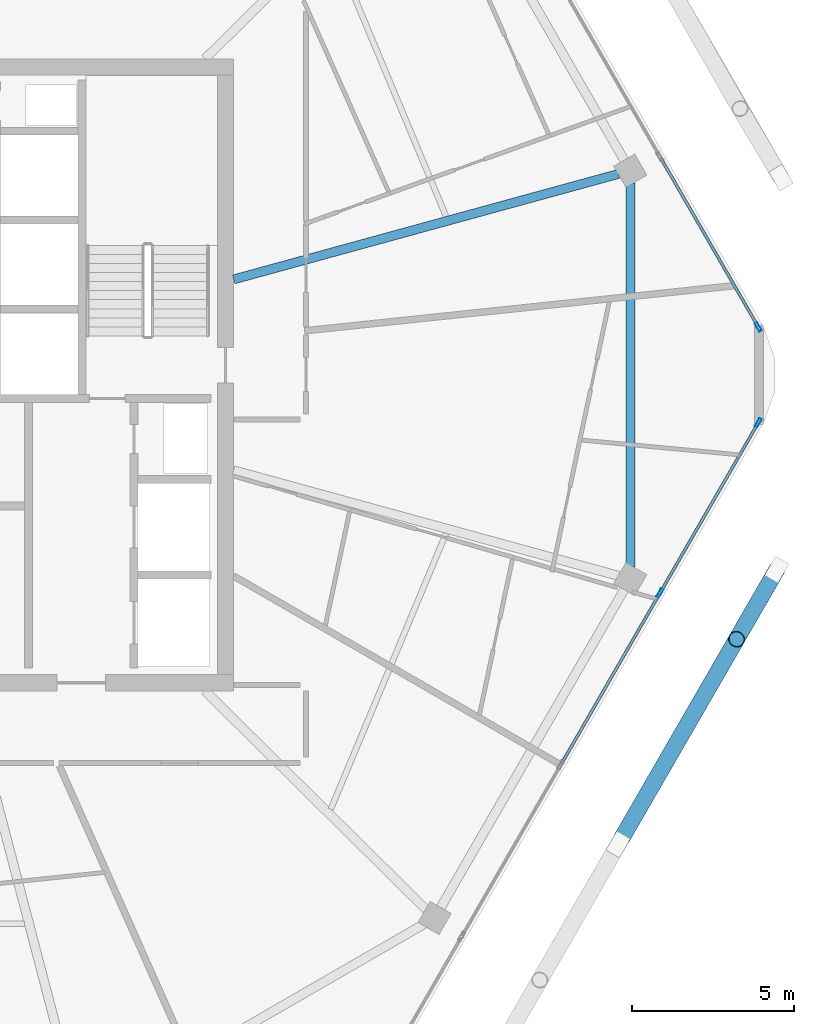
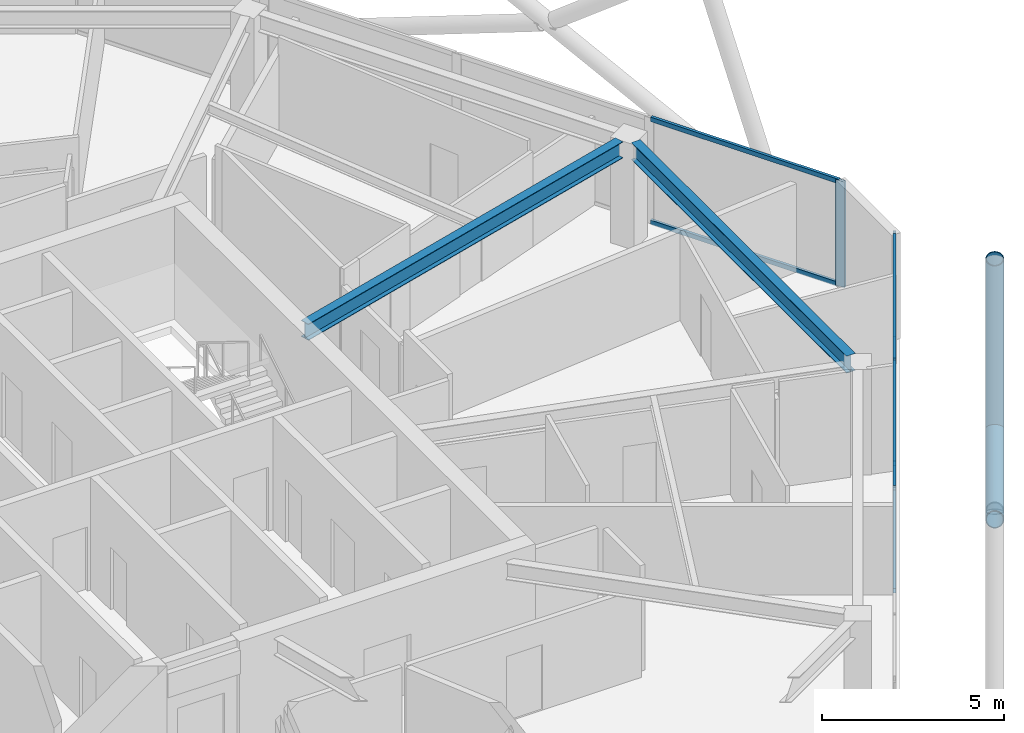
# One storey, part 8 of 23: 11 members, 2 beams, 2 elements without a shape of their own.
"""IFC4 building model written with IfcOpenShell, lengths in metres."""

from ifc_helpers import new_model, si_unit, direction, frame, origin, origin_2d, place, context, subcontext, project, spatial, hollow_rectangle, hollow_circle, i_section, extrude, material, material_profile, profile_set, type_object, element, aggregate, save


model = new_model("IFC4")

# Units and contexts
model_context = context("Model", 3, precision=1e-05, world=origin(), true_north=direction((0.0, 1.0)))
body_context = subcontext(model_context, "Body", "Model", "MODEL_VIEW")
ifc_project = project(units=[si_unit("LENGTHUNIT", "METRE"), si_unit("AREAUNIT", "SQUARE_METRE"), si_unit("VOLUMEUNIT", "CUBIC_METRE"), si_unit("PLANEANGLEUNIT", "RADIAN"), si_unit("MASSUNIT", "GRAM", prefix="KILO")], contexts=[model_context])

# Site, building, storey
site_placement = place(None, origin())
site = spatial("IfcSite", under=ifc_project, at=site_placement, CompositionType="ELEMENT")
building_placement = place(site_placement, origin())
building = spatial("IfcBuilding", under=site, at=building_placement, Name="Zuhravey Tower", CompositionType="ELEMENT")
storey_placement = place(building_placement, frame((0.0, 0.0, 346.199951171875)))
storey = spatial("IfcBuildingStorey", under=building, at=storey_placement, Name="L88", CompositionType="ELEMENT", Elevation=346.199951171875)

# Curtain wall, members
ifc_material_1 = material(Name="Thermally broken anodised aluminium", Category="aluminium")
curtain_wall_type = type_object("IfcCurtainWallType", Name="Zone 3-4 High-Rise Curtain Wall CW4", PredefinedType="NOTDEFINED", material=ifc_material_1)
curtain_wall_1_placement = place(storey_placement, origin())
curtain_wall_1 = element("IfcCurtainWall", 1, at=curtain_wall_1_placement, inside=storey, type_object=curtain_wall_type, Name="L88 CW4 CW-L88-F6-1", PredefinedType="NOTDEFINED")
ifc_material_2 = material(Name="Anodised aluminium", Category="aluminium")
ifc_material_profile_1 = material_profile(ifc_material_2, hollow_rectangle(XDim=0.090087890625, YDim=0.284912109375, WallThickness=0.0048828125, at=origin_2d()), Name="ALU-RHS-90x285x5")
ifc_profile_set_1 = profile_set([ifc_material_profile_1], Name="Anodised aluminium")
member_type_1 = type_object("IfcMemberType", Name="Curtain-Wall Mullion 90x180", PredefinedType="MULLION", material=ifc_profile_set_1)
member_1_placement = place(storey_placement, frame((62.94580078125, 30.5234375, 0.0), z_axis=(0.0, 0.0, 1.0), x_axis=(0.866025511541, -0.49999981336, 0.0)))
member_1 = element("IfcMember", 2, at=member_1_placement, type_object=member_type_1, Name="CW4 mullion 1", PredefinedType="MULLION", context=body_context, shape_type="SweptSolid", body=[
    extrude(hollow_rectangle(XDim=0.090087890625, YDim=0.284912109375, WallThickness=0.0048828125, at=origin_2d()), origin(), (0.0, 0.0, 1.0), 3.550048828125),
])
member_2_placement = place(storey_placement, frame((59.90869140625, 25.2626953125, 0.0), z_axis=(0.0, 0.0, 1.0), x_axis=(0.866025511541, -0.49999981336, 0.0)))
member_2 = element("IfcMember", 3, at=member_2_placement, type_object=member_type_1, Name="CW4 mullion 2", PredefinedType="MULLION", context=body_context, shape_type="SweptSolid", body=[
    extrude(hollow_rectangle(XDim=0.090087890625, YDim=0.284912109375, WallThickness=0.0048828125, at=origin_2d()), origin(), (0.0, 0.0, 1.0), 3.550048828125),
])

# Curtain wall, member
curtain_wall_2_placement = place(storey_placement, origin())
curtain_wall_2 = element("IfcCurtainWall", 4, at=curtain_wall_2_placement, inside=storey, type_object=curtain_wall_type, Name="L88 CW4 CW-L88-F1-1", PredefinedType="NOTDEFINED")
member_3_placement = place(storey_placement, frame((62.94580078125, 33.4765625, 0.0), z_axis=(0.0, 0.0, 1.0), x_axis=(0.866025511541, 0.49999981336, 0.0)))
member_3 = element("IfcMember", 5, at=member_3_placement, type_object=member_type_1, Name="CW4 mullion 5", PredefinedType="MULLION", context=body_context, shape_type="SweptSolid", body=[
    extrude(hollow_rectangle(XDim=0.090087890625, YDim=0.284912109375, WallThickness=0.0048828125, at=origin_2d()), origin(), (0.0, 0.0, 1.0), 3.550048828125),
])

# Member
ifc_material_profile_2 = material_profile(ifc_material_2, hollow_rectangle(XDim=0.090087890625, YDim=0.14990234375, WallThickness=0.0048828125, at=origin_2d()), Name="ALU-RHS-90x150x5")
ifc_profile_set_2 = profile_set([ifc_material_profile_2], Name="Anodised aluminium")
member_type_2 = type_object("IfcMemberType", Name="Curtain-Wall Transom 90x150", PredefinedType="USERDEFINED", material=ifc_profile_set_2)
member_4_placement = place(storey_placement, frame((62.92333984375, 30.484619140625, 0.045166015625), z_axis=(-0.499982594807, -0.866035452444, 0.0), x_axis=(0.866035452444, -0.499982594807, 0.0)))
member_4 = element("IfcMember", 6, at=member_4_placement, type_object=member_type_2, Name="CW4 transom 1.1", ObjectType="TRANSOM", PredefinedType="USERDEFINED", context=body_context, shape_type="SweptSolid", body=[
    extrude(hollow_rectangle(XDim=0.090087890625, YDim=0.14990234375, WallThickness=0.0048828125, at=origin_2d()), origin(), (0.0, 0.0, 1.0), 5.984619140625),
])

member_5_placement = place(storey_placement, frame((62.92333984375, 30.484619140625, 3.505126953125), z_axis=(-0.499982594807, -0.866035452444, 0.0), x_axis=(0.866035452444, -0.499982594807, 0.0)))
member_5 = element("IfcMember", 7, at=member_5_placement, type_object=member_type_2, Name="CW4 transom 1.2", ObjectType="TRANSOM", PredefinedType="USERDEFINED", context=body_context, shape_type="SweptSolid", body=[
    extrude(hollow_rectangle(XDim=0.090087890625, YDim=0.14990234375, WallThickness=0.0048828125, at=origin_2d()), origin(), (0.0, 0.0, 1.0), 5.984619140625),
])

member_6_placement = place(storey_placement, frame((59.885986328125, 25.2236328125, 0.045166015625), z_axis=(-0.499988837749, -0.866031848217, 0.0), x_axis=(0.866031848217, -0.499988837749, 0.0)))
member_6 = element("IfcMember", 8, at=member_6_placement, type_object=member_type_2, Name="CW4 transom 2.1", ObjectType="TRANSOM", PredefinedType="USERDEFINED", context=body_context, shape_type="SweptSolid", body=[
    extrude(hollow_rectangle(XDim=0.090087890625, YDim=0.14990234375, WallThickness=0.0048828125, at=origin_2d()), origin(), (0.0, 0.0, 1.0), 6.029541015625),
])

member_7_placement = place(storey_placement, frame((59.885986328125, 25.2236328125, 3.505126953125), z_axis=(-0.499988837749, -0.866031848217, 0.0), x_axis=(0.866031848217, -0.499988837749, 0.0)))
member_7 = element("IfcMember", 9, at=member_7_placement, type_object=member_type_2, Name="CW4 transom 2.2", ObjectType="TRANSOM", PredefinedType="USERDEFINED", context=body_context, shape_type="SweptSolid", body=[
    extrude(hollow_rectangle(XDim=0.090087890625, YDim=0.14990234375, WallThickness=0.0048828125, at=origin_2d()), origin(), (0.0, 0.0, 1.0), 6.029541015625),
])

aggregate(curtain_wall_1, [member_1, member_2, member_4, member_5, member_6, member_7])

member_8_placement = place(storey_placement, frame((59.93115234375, 38.6982421875, 0.045166015625), z_axis=(0.499982594807, -0.866035452444, 0.0), x_axis=(0.866035452444, 0.499982594807, 0.0)))
member_8 = element("IfcMember", 10, at=member_8_placement, type_object=member_type_2, Name="CW4 transom 4.1", ObjectType="TRANSOM", PredefinedType="USERDEFINED", context=body_context, shape_type="SweptSolid", body=[
    extrude(hollow_rectangle(XDim=0.090087890625, YDim=0.14990234375, WallThickness=0.0048828125, at=origin_2d()), origin(), (0.0, 0.0, 1.0), 5.984619140625),
])

member_9_placement = place(storey_placement, frame((59.93115234375, 38.6982421875, 3.505126953125), z_axis=(0.499982594807, -0.866035452444, 0.0), x_axis=(0.866035452444, 0.499982594807, 0.0)))
member_9 = element("IfcMember", 11, at=member_9_placement, type_object=member_type_2, Name="CW4 transom 4.2", ObjectType="TRANSOM", PredefinedType="USERDEFINED", context=body_context, shape_type="SweptSolid", body=[
    extrude(hollow_rectangle(XDim=0.090087890625, YDim=0.14990234375, WallThickness=0.0048828125, at=origin_2d()), origin(), (0.0, 0.0, 1.0), 5.984619140625),
])

aggregate(curtain_wall_2, [member_3, member_8, member_9])

# Members
ifc_material_3 = material(Name="Steel SM355", Category="steel")
ifc_material_profile_3 = material_profile(ifc_material_3, hollow_circle(Radius=0.25390625, WallThickness=0.02490234375, at=origin_2d()), Name="CHS-508.0x25")
ifc_profile_set_3 = profile_set([ifc_material_profile_3], Name="Steel SM355")
member_type_3 = type_object("IfcMemberType", Name="Exoskeleton Zone 4 Diagrid CHS508x25", PredefinedType="BRACE", material=ifc_profile_set_3)
member_10_placement = place(storey_placement, frame((63.510986328125, 25.982421875, -0.447998046875), z_axis=(-0.157768747613, -0.273243502631, 0.948918864048), x_axis=(0.866009569118, -0.500027425445, 0.0)))
element("IfcMember", 12, at=member_10_placement, inside=storey, type_object=member_type_3, Name="L88 Face 6 Diagrid Brace 4", PredefinedType="BRACE", context=body_context, shape_type="SweptSolid", body=[
    extrude(hollow_circle(Radius=0.25390625, WallThickness=0.02490234375, at=origin_2d()), origin(), (0.0, 0.0, 1.0), 7.833251953125),
])
member_11_placement = place(storey_placement, frame((63.497314453125, 25.95849609375, -0.451416015625), z_axis=(-0.467204375503, -0.809211288083, 0.356226280262), x_axis=(0.866022613796, -0.500004832371, 0.0)))
element("IfcMember", 13, at=member_11_placement, inside=storey, type_object=member_type_3, Name="L88 Face 6 Split Diagrid Brace 3A", PredefinedType="BRACE", context=body_context, shape_type="SweptSolid", body=[
    extrude(hollow_circle(Radius=0.25390625, WallThickness=0.02490234375, at=origin_2d()), origin(), (0.0, 0.0, 1.0), 10.19873046875),
])

# Beams
ifc_material_profile_4 = material_profile(ifc_material_3, i_section(OverallWidth=0.280029296875, OverallDepth=0.580078125, WebThickness=0.011962890625, FlangeThickness=0.01904296875, at=origin_2d()), Name="H-580x280x12x19")
ifc_profile_set_4 = profile_set([ifc_material_profile_4], Name="Steel SM355")
beam_type_1 = type_object("IfcBeamType", Name="Perimeter Ring Beam H580x280", PredefinedType="BEAM", material=ifc_profile_set_4)
beam_1_placement = place(storey_placement, frame((58.993408203125, 26.07568359375, 3.260009765625), z_axis=(0.0, 1.0, 0.0), x_axis=(-1.0, 0.0, 0.0)))
element("IfcBeam", 14, at=beam_1_placement, inside=storey, type_object=beam_type_1, Name="L88 PB4 BM-L88-PB-12", PredefinedType="BEAM", context=body_context, shape_type="SweptSolid", body=[
    extrude(i_section(OverallWidth=0.280029296875, OverallDepth=0.580078125, WebThickness=0.011962890625, FlangeThickness=0.01904296875, at=origin_2d()), origin(), (0.0, 0.0, 1.0), 11.8486328125),
])
ifc_material_profile_5 = material_profile(ifc_material_3, i_section(OverallWidth=0.280029296875, OverallDepth=0.550048828125, WebThickness=0.010986328125, FlangeThickness=0.01806640625, at=origin_2d()), Name="H-550x280x11x18")
ifc_profile_set_5 = profile_set([ifc_material_profile_5], Name="Steel SM355")
beam_type_2 = type_object("IfcBeamType", Name="Radial Primary Girder H550x280", PredefinedType="BEAM", material=ifc_profile_set_5)
beam_2_placement = place(storey_placement, frame((46.7529296875, 34.947265625, 3.275146484375), z_axis=(0.964428588077, 0.264343523658, 0.0), x_axis=(-0.264343523658, 0.964428588077, 0.0)))
element("IfcBeam", 15, at=beam_2_placement, inside=storey, type_object=beam_type_2, Name="L88 RG4 BM-L88-RAD-01", PredefinedType="BEAM", context=body_context, shape_type="SweptSolid", body=[
    extrude(i_section(OverallWidth=0.280029296875, OverallDepth=0.550048828125, WebThickness=0.010986328125, FlangeThickness=0.01806640625, at=origin_2d()), origin(), (0.0, 0.0, 1.0), 12.31396484375),
])

save(model, "model.ifc")
